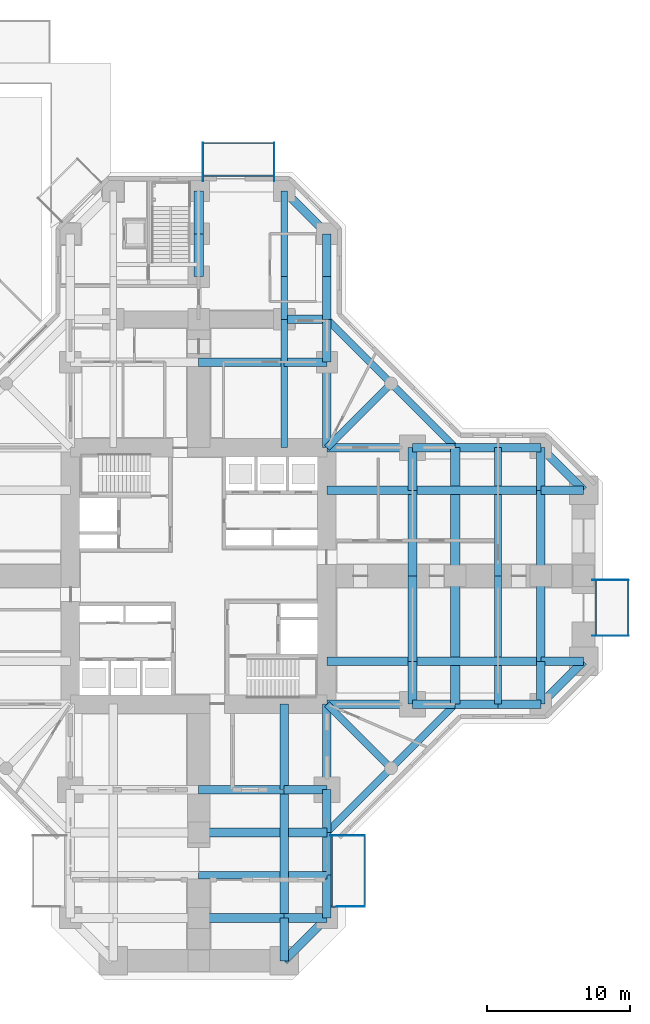
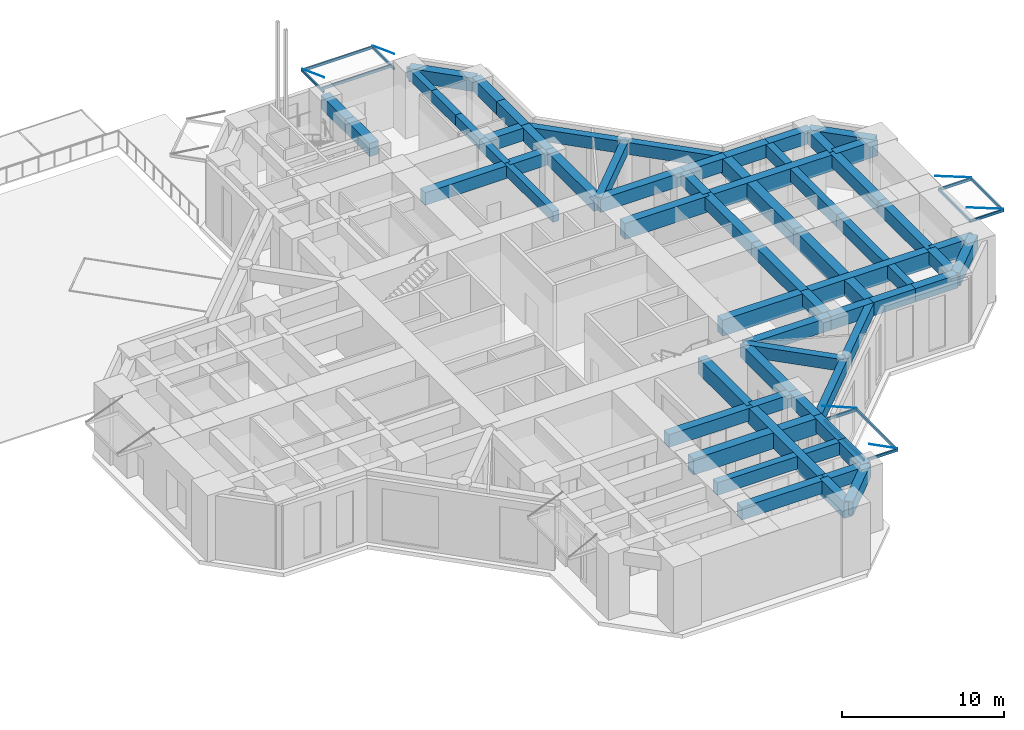
# One storey, part 3 of 14: 69 beams, 18 members.
"""IFC4 building model written with IfcOpenShell, lengths in metres."""

from ifc_helpers import new_model, si_unit, direction, frame, origin, origin_2d, place, context, subcontext, project, spatial, rectangle, hollow_rectangle, circle, extrude, material, material_profile, profile_set, type_object, element, save


model = new_model("IFC4")

# Units and contexts
model_context = context("Model", 3, precision=1e-05, world=origin(), true_north=direction((0.0, 1.0)))
body_context = subcontext(model_context, "Body", "Model", "MODEL_VIEW")
ifc_project = project(units=[si_unit("LENGTHUNIT", "METRE"), si_unit("AREAUNIT", "SQUARE_METRE"), si_unit("VOLUMEUNIT", "CUBIC_METRE"), si_unit("PLANEANGLEUNIT", "RADIAN"), si_unit("MASSUNIT", "GRAM", prefix="KILO")], contexts=[model_context])

# Site, building, storey
site_placement = place(None, origin())
site = spatial("IfcSite", under=ifc_project, at=site_placement, CompositionType="ELEMENT")
building_placement = place(site_placement, origin())
building = spatial("IfcBuilding", under=site, at=building_placement, Name="Torre Cruceta", CompositionType="ELEMENT")
storey_placement = place(building_placement, origin())
storey = spatial("IfcBuildingStorey", under=building, at=storey_placement, Name="L00", CompositionType="ELEMENT", Elevation=0.0)

# Beams
ifc_material_1 = material(Name="Concrete G60 (fck 60 MPa)", Category="concrete")
ifc_material_profile_1 = material_profile(ifc_material_1, rectangle(XDim=0.64990234375, YDim=1.0, at=origin_2d()), Name="RC 650X1000")
ifc_profile_set_1 = profile_set([ifc_material_profile_1], Name="Concrete G60 (fck 60 MPa)")
beam_type_1 = type_object("IfcBeamType", Name="ARM CENTRE BEAM RC 650X1000", PredefinedType="BEAM", material=ifc_profile_set_1)
for number, where, z_axis, x_axis, name in (
    (1, (0.0, 21.0, 4.300048828125), (0.0, 1.0, 0.0), (-1.0, 0.0, 0.0), "MB1 L00 N centre 1"),
    (2, (0.0, 24.0, 4.300048828125), (0.0, 1.0, 0.0), (-1.0, 0.0, 0.0), "MB1 L00 N centre 2"),
):
    element("IfcBeam", number, at=place(storey_placement, frame(where, z_axis=z_axis, x_axis=x_axis)), inside=storey, type_object=beam_type_1, Name=name, PredefinedType="BEAM", context=body_context, shape_type="SweptSolid", body=[
        extrude(rectangle(XDim=0.64990234375, YDim=1.0, at=origin_2d()), origin(), (0.0, 0.0, 1.0), 3.0),
    ])

# Members
ifc_material_2 = material(Name="Steel S355", Category="steel")
ifc_material_profile_2 = material_profile(ifc_material_2, hollow_rectangle(XDim=0.10009765625, YDim=0.199951171875, WallThickness=0.008056640625, at=origin_2d()), Name="RHS200X100X8")
ifc_profile_set_2 = profile_set([ifc_material_profile_2], Name="Steel S355")
member_type_1 = type_object("IfcMemberType", Name="CANOPY FRAME RHS200X100X8", PredefinedType="USERDEFINED", material=ifc_profile_set_2)
for number, where, z_axis, x_axis, name in (
    (3, (5.25, 28.070068359375, 4.39990234375), (-1.0, 0.0, 0.0), (0.0, -1.0, 0.0), "CN1 canopy 1 frame B"),
    (4, (5.25, 30.3701171875, 4.39990234375), (-1.0, 0.0, 0.0), (0.0, -1.0, 0.0), "CN1 canopy 1 frame F"),
):
    element("IfcMember", number, at=place(storey_placement, frame(where, z_axis=z_axis, x_axis=x_axis)), inside=storey, type_object=member_type_1, Name=name, ObjectType="CANOPY FRAME", PredefinedType="USERDEFINED", context=body_context, shape_type="SweptSolid", body=[
        extrude(hollow_rectangle(XDim=0.10009765625, YDim=0.199951171875, WallThickness=0.008056640625, at=origin_2d()), origin(), (0.0, 0.0, 1.0), 4.89990234375),
    ])
for number, where, z_axis, x_axis, name in (
    (5, (5.300048828125, 27.699951171875, 4.39990234375), (0.0, 1.0, 0.0), (-1.0, 0.0, 0.0), "CN1 canopy 1 frame L"),
    (6, (0.300048828125, 27.699951171875, 4.39990234375), (0.0, 1.0, 0.0), (-1.0, 0.0, 0.0), "CN1 canopy 1 frame R"),
):
    element("IfcMember", number, at=place(storey_placement, frame(where, z_axis=z_axis, x_axis=x_axis)), inside=storey, type_object=member_type_1, Name=name, ObjectType="CANOPY FRAME", PredefinedType="USERDEFINED", context=body_context, shape_type="SweptSolid", body=[
        extrude(hollow_rectangle(XDim=0.10009765625, YDim=0.199951171875, WallThickness=0.008056640625, at=origin_2d()), origin(), (0.0, 0.0, 1.0), 2.719970703125),
    ])
for number, where, z_axis, x_axis, name in (
    (7, (9.35009765625, -18.25, 4.39990234375), (0.0, -1.0, 0.0), (1.0, 0.0, 0.0), "CN1 canopy 3 frame B"),
    (8, (11.64990234375, -18.25, 4.39990234375), (0.0, -1.0, 0.0), (1.0, 0.0, 0.0), "CN1 canopy 3 frame F"),
):
    element("IfcMember", number, at=place(storey_placement, frame(where, z_axis=z_axis, x_axis=x_axis)), inside=storey, type_object=member_type_1, Name=name, ObjectType="CANOPY FRAME", PredefinedType="USERDEFINED", context=body_context, shape_type="SweptSolid", body=[
        extrude(hollow_rectangle(XDim=0.10009765625, YDim=0.199951171875, WallThickness=0.008056640625, at=origin_2d()), origin(), (0.0, 0.0, 1.0), 4.89990234375),
    ])
for number, where, z_axis, x_axis, name in (
    (9, (9.300048828125, -18.199951171875, 4.39990234375), (1.0, 0.0, 0.0), (0.0, 1.0, 0.0), "CN1 canopy 3 frame L"),
    (10, (9.300048828125, -23.199951171875, 4.39990234375), (1.0, 0.0, 0.0), (0.0, 1.0, 0.0), "CN1 canopy 3 frame R"),
):
    element("IfcMember", number, at=place(storey_placement, frame(where, z_axis=z_axis, x_axis=x_axis)), inside=storey, type_object=member_type_1, Name=name, ObjectType="CANOPY FRAME", PredefinedType="USERDEFINED", context=body_context, shape_type="SweptSolid", body=[
        extrude(hollow_rectangle(XDim=0.10009765625, YDim=0.199951171875, WallThickness=0.008056640625, at=origin_2d()), origin(), (0.0, 0.0, 1.0), 2.39990234375),
    ])
for number, where, z_axis, x_axis, name in (
    (11, (27.85009765625, -4.14990234375, 4.39990234375), (0.0, 1.0, 0.0), (-1.0, 0.0, 0.0), "CN1 canopy 5 frame B"),
    (12, (30.14990234375, -4.14990234375, 4.39990234375), (0.0, 1.0, 0.0), (-1.0, 0.0, 0.0), "CN1 canopy 5 frame F"),
):
    element("IfcMember", number, at=place(storey_placement, frame(where, z_axis=z_axis, x_axis=x_axis)), inside=storey, type_object=member_type_1, Name=name, ObjectType="CANOPY FRAME", PredefinedType="USERDEFINED", context=body_context, shape_type="SweptSolid", body=[
        extrude(hollow_rectangle(XDim=0.10009765625, YDim=0.199951171875, WallThickness=0.008056640625, at=origin_2d()), origin(), (0.0, 0.0, 1.0), 3.7998046875),
    ])
for number, where, z_axis, x_axis, name in (
    (13, (27.800048828125, -4.199951171875, 4.39990234375), (1.0, 0.0, 0.0), (0.0, 1.0, 0.0), "CN1 canopy 5 frame L"),
    (14, (27.800048828125, -0.300048828125, 4.39990234375), (1.0, 0.0, 0.0), (0.0, 1.0, 0.0), "CN1 canopy 5 frame R"),
):
    element("IfcMember", number, at=place(storey_placement, frame(where, z_axis=z_axis, x_axis=x_axis)), inside=storey, type_object=member_type_1, Name=name, ObjectType="CANOPY FRAME", PredefinedType="USERDEFINED", context=body_context, shape_type="SweptSolid", body=[
        extrude(hollow_rectangle(XDim=0.10009765625, YDim=0.199951171875, WallThickness=0.008056640625, at=origin_2d()), origin(), (0.0, 0.0, 1.0), 2.39990234375),
    ])
ifc_material_3 = material(Name="Steel S355", Category="steel")
ifc_material_profile_3 = material_profile(ifc_material_3, circle(Radius=0.014892578125, at=origin_2d()), Name="ROD D30")
ifc_profile_set_3 = profile_set([ifc_material_profile_3], Name="Steel S355")
member_type_2 = type_object("IfcMemberType", Name="CANOPY TIE ROD D30", PredefinedType="USERDEFINED", material=ifc_profile_set_3)
for number, where, z_axis, x_axis, name in (
    (15, (5.300048828125, 30.3701171875, 4.5), (0.0, -0.936480400525, 0.350719915932), (1.0, 0.0, 0.0), "CN2 canopy 1 tie rod 1"),
    (16, (0.300048828125, 30.3701171875, 4.5), (0.0, -0.936480400525, 0.350719915932), (1.0, 0.0, 0.0), "CN2 canopy 1 tie rod 2"),
):
    element("IfcMember", number, at=place(storey_placement, frame(where, z_axis=z_axis, x_axis=x_axis)), inside=storey, type_object=member_type_2, Name=name, ObjectType="TIE ROD", PredefinedType="USERDEFINED", context=body_context, shape_type="SweptSolid", body=[
        extrude(circle(Radius=0.014892578125, at=origin_2d()), origin(), (0.0, 0.0, 1.0), 2.851318359375),
    ])
member_1_placement = place(storey_placement, frame((11.64990234375, -18.199951171875, 4.5), z_axis=(-0.923071366561, 0.0, 0.384628719983), x_axis=(0.0, -1.0, 0.0)))
element("IfcMember", 17, at=member_1_placement, inside=storey, type_object=member_type_2, Name="CN2 canopy 3 tie rod 1", ObjectType="TIE ROD", PredefinedType="USERDEFINED", context=body_context, shape_type="SweptSolid", body=[
    extrude(circle(Radius=0.014892578125, at=origin_2d()), origin(), (0.0, 0.0, 1.0), 2.599853515625),
])
member_2_placement = place(storey_placement, frame((11.64990234375, -23.199951171875, 4.5), z_axis=(-0.889812823198, 0.0, 0.456325694731), x_axis=(0.0, -1.0, 0.0)))
element("IfcMember", 18, at=member_2_placement, inside=storey, type_object=member_type_2, Name="CN2 canopy 3 tie rod 2", ObjectType="TIE ROD", PredefinedType="USERDEFINED", context=body_context, shape_type="SweptSolid", body=[
    extrude(circle(Radius=0.014892578125, at=origin_2d()), origin(), (0.0, 0.0, 1.0), 2.19140625),
])
for number, where, z_axis, x_axis, name in (
    (19, (30.14990234375, -4.199951171875, 4.5), (-0.930963693221, 0.0, 0.365111766319), (0.0, -1.0, 0.0), "CN2 canopy 5 tie rod 1"),
    (20, (30.14990234375, -0.300048828125, 4.5), (-0.930963693221, 0.0, 0.365111766319), (0.0, -1.0, 0.0), "CN2 canopy 5 tie rod 2"),
):
    element("IfcMember", number, at=place(storey_placement, frame(where, z_axis=z_axis, x_axis=x_axis)), inside=storey, type_object=member_type_2, Name=name, ObjectType="TIE ROD", PredefinedType="USERDEFINED", context=body_context, shape_type="SweptSolid", body=[
        extrude(circle(Radius=0.014892578125, at=origin_2d()), origin(), (0.0, 0.0, 1.0), 2.73876953125),
    ])

# Beams
ifc_material_4 = material(Name="Concrete G60 (fck 60 MPa)", Category="concrete")
ifc_material_profile_4 = material_profile(ifc_material_4, rectangle(XDim=0.449951171875, YDim=0.800048828125, at=origin_2d()), Name="RC 450X800")
ifc_profile_set_4 = profile_set([ifc_material_profile_4], Name="Concrete G60 (fck 60 MPa)")
beam_type_2 = type_object("IfcBeamType", Name="COLUMN LINE BEAM RC 450X800", PredefinedType="BEAM", material=ifc_profile_set_4)
beam_1_placement = place(storey_placement, frame((6.0, 9.0, 4.39990234375), z_axis=(0.0, 1.0, 0.0), x_axis=(-1.0, 0.0, 0.0)))
element("IfcBeam", 21, at=beam_1_placement, inside=storey, type_object=beam_type_2, Name="LB1 L00 N col- 1", PredefinedType="BEAM", context=body_context, shape_type="SweptSolid", body=[
    extrude(rectangle(XDim=0.449951171875, YDim=0.800048828125, at=origin_2d()), origin(), (0.0, 0.0, 1.0), 6.0),
])
for number, where, z_axis, x_axis, name in (
    (22, (6.0, 15.0, 4.39990234375), (0.0, 1.0, 0.0), (-1.0, 0.0, 0.0), "LB1 L00 N col- 2"),
    (23, (6.0, 18.0, 4.39990234375), (0.0, 1.0, 0.0), (-1.0, 0.0, 0.0), "LB1 L00 N col- 3"),
    (24, (6.0, 21.0, 4.39990234375), (0.0, 1.0, 0.0), (-1.0, 0.0, 0.0), "LB1 L00 N col- 4"),
    (25, (6.0, 24.0, 4.39990234375), (0.0, 1.0, 0.0), (-1.0, 0.0, 0.0), "LB1 L00 N col- 5"),
):
    element("IfcBeam", number, at=place(storey_placement, frame(where, z_axis=z_axis, x_axis=x_axis)), inside=storey, type_object=beam_type_2, Name=name, PredefinedType="BEAM", context=body_context, shape_type="SweptSolid", body=[
        extrude(rectangle(XDim=0.449951171875, YDim=0.800048828125, at=origin_2d()), origin(), (0.0, 0.0, 1.0), 3.0),
    ])
ifc_material_5 = material(Name="Concrete G60 (fck 60 MPa)", Category="concrete")
ifc_material_profile_5 = material_profile(ifc_material_5, rectangle(XDim=0.60009765625, YDim=1.199951171875, at=origin_2d()), Name="RC 600X1200")
ifc_profile_set_5 = profile_set([ifc_material_profile_5], Name="Concrete G60 (fck 60 MPa)")
beam_type_3 = type_object("IfcBeamType", Name="COLUMN LINE BEAM RC 600X1200", PredefinedType="BEAM", material=ifc_profile_set_5)
beam_2_placement = place(storey_placement, frame((9.0, -6.0, 4.199951171875), z_axis=(1.0, 0.0, 0.0), x_axis=(0.0, 1.0, 0.0)))
element("IfcBeam", 26, at=beam_2_placement, inside=storey, type_object=beam_type_3, Name="LB2 L00 E col- 1", PredefinedType="BEAM", context=body_context, shape_type="SweptSolid", body=[
    extrude(rectangle(XDim=0.60009765625, YDim=1.199951171875, at=origin_2d()), origin(), (0.0, 0.0, 1.0), 6.0),
])
beam_3_placement = place(storey_placement, frame((15.0, -6.0, 4.199951171875), z_axis=(1.0, 0.0, 0.0), x_axis=(0.0, 1.0, 0.0)))
element("IfcBeam", 27, at=beam_3_placement, inside=storey, type_object=beam_type_3, Name="LB2 L00 E col- 2", PredefinedType="BEAM", context=body_context, shape_type="SweptSolid", body=[
    extrude(rectangle(XDim=0.60009765625, YDim=1.199951171875, at=origin_2d()), origin(), (0.0, 0.0, 1.0), 9.0),
])
beam_4_placement = place(storey_placement, frame((24.0, -6.0, 4.199951171875), z_axis=(1.0, 0.0, 0.0), x_axis=(0.0, 1.0, 0.0)))
element("IfcBeam", 28, at=beam_4_placement, inside=storey, type_object=beam_type_3, Name="LB2 L00 E col- 5", PredefinedType="BEAM", context=body_context, shape_type="SweptSolid", body=[
    extrude(rectangle(XDim=0.60009765625, YDim=1.199951171875, at=origin_2d()), origin(), (0.0, 0.0, 1.0), 3.0),
])
beam_5_placement = place(storey_placement, frame((9.0, 6.0, 4.199951171875), z_axis=(1.0, 0.0, 0.0), x_axis=(0.0, 1.0, 0.0)))
element("IfcBeam", 29, at=beam_5_placement, inside=storey, type_object=beam_type_3, Name="LB2 L00 E col+ 1", PredefinedType="BEAM", context=body_context, shape_type="SweptSolid", body=[
    extrude(rectangle(XDim=0.60009765625, YDim=1.199951171875, at=origin_2d()), origin(), (0.0, 0.0, 1.0), 6.0),
])
beam_6_placement = place(storey_placement, frame((15.0, 6.0, 4.199951171875), z_axis=(1.0, 0.0, 0.0), x_axis=(0.0, 1.0, 0.0)))
element("IfcBeam", 30, at=beam_6_placement, inside=storey, type_object=beam_type_3, Name="LB2 L00 E col+ 2", PredefinedType="BEAM", context=body_context, shape_type="SweptSolid", body=[
    extrude(rectangle(XDim=0.60009765625, YDim=1.199951171875, at=origin_2d()), origin(), (0.0, 0.0, 1.0), 9.0),
])
beam_7_placement = place(storey_placement, frame((24.0, 6.0, 4.199951171875), z_axis=(1.0, 0.0, 0.0), x_axis=(0.0, 1.0, 0.0)))
element("IfcBeam", 31, at=beam_7_placement, inside=storey, type_object=beam_type_3, Name="LB2 L00 E col+ 5", PredefinedType="BEAM", context=body_context, shape_type="SweptSolid", body=[
    extrude(rectangle(XDim=0.60009765625, YDim=1.199951171875, at=origin_2d()), origin(), (0.0, 0.0, 1.0), 3.0),
])
beam_8_placement = place(storey_placement, frame((6.0, -9.0, 4.199951171875), z_axis=(0.0, -1.0, 0.0), x_axis=(1.0, 0.0, 0.0)))
element("IfcBeam", 32, at=beam_8_placement, inside=storey, type_object=beam_type_3, Name="LB2 L00 S col+ 1", PredefinedType="BEAM", context=body_context, shape_type="SweptSolid", body=[
    extrude(rectangle(XDim=0.60009765625, YDim=1.199951171875, at=origin_2d()), origin(), (0.0, 0.0, 1.0), 6.0),
])
beam_9_placement = place(storey_placement, frame((6.0, -15.0, 4.199951171875), z_axis=(0.0, -1.0, 0.0), x_axis=(1.0, 0.0, 0.0)))
element("IfcBeam", 33, at=beam_9_placement, inside=storey, type_object=beam_type_3, Name="LB2 L00 S col+ 2", PredefinedType="BEAM", context=body_context, shape_type="SweptSolid", body=[
    extrude(rectangle(XDim=0.60009765625, YDim=1.199951171875, at=origin_2d()), origin(), (0.0, 0.0, 1.0), 9.0),
])
beam_10_placement = place(storey_placement, frame((6.0, -24.0, 4.199951171875), z_axis=(0.0, -1.0, 0.0), x_axis=(1.0, 0.0, 0.0)))
element("IfcBeam", 34, at=beam_10_placement, inside=storey, type_object=beam_type_3, Name="LB2 L00 S col+ 5", PredefinedType="BEAM", context=body_context, shape_type="SweptSolid", body=[
    extrude(rectangle(XDim=0.60009765625, YDim=1.199951171875, at=origin_2d()), origin(), (0.0, 0.0, 1.0), 3.0),
])
ifc_material_6 = material(Name="Concrete G60 (fck 60 MPa)", Category="concrete")
ifc_material_profile_6 = material_profile(ifc_material_6, rectangle(XDim=0.60009765625, YDim=0.949951171875, at=origin_2d()), Name="RC 600X950")
ifc_profile_set_6 = profile_set([ifc_material_profile_6], Name="Concrete G60 (fck 60 MPa)")
beam_type_4 = type_object("IfcBeamType", Name="CROSS BEAM RC 600X950", PredefinedType="BEAM", material=ifc_profile_set_6)
beam_11_placement = place(storey_placement, frame((9.0, 15.0, 4.324951171875), z_axis=(-1.0, 0.0, 0.0), x_axis=(0.0, -1.0, 0.0)))
element("IfcBeam", 35, at=beam_11_placement, inside=storey, type_object=beam_type_4, Name="GB1 L00 N cross15 1", PredefinedType="BEAM", context=body_context, shape_type="SweptSolid", body=[
    extrude(rectangle(XDim=0.60009765625, YDim=0.949951171875, at=origin_2d()), origin(), (0.0, 0.0, 1.0), 3.0),
])
beam_12_placement = place(storey_placement, frame((6.0, 15.0, 4.324951171875), z_axis=(-1.0, 0.0, 0.0), x_axis=(0.0, -1.0, 0.0)))
element("IfcBeam", 36, at=beam_12_placement, inside=storey, type_object=beam_type_4, Name="GB1 L00 N cross15 2", PredefinedType="BEAM", context=body_context, shape_type="SweptSolid", body=[
    extrude(rectangle(XDim=0.60009765625, YDim=0.949951171875, at=origin_2d()), origin(), (0.0, 0.0, 1.0), 6.0),
])
for number, where, z_axis, x_axis, name in (
    (37, (9.0, 18.0, 4.324951171875), (-1.0, 0.0, 0.0), (0.0, -1.0, 0.0), "GB1 L00 N cross18 1"),
    (38, (15.0, -9.0, 4.324951171875), (0.0, 1.0, 0.0), (-1.0, 0.0, 0.0), "GB1 L00 E cross15 1"),
):
    element("IfcBeam", number, at=place(storey_placement, frame(where, z_axis=z_axis, x_axis=x_axis)), inside=storey, type_object=beam_type_4, Name=name, PredefinedType="BEAM", context=body_context, shape_type="SweptSolid", body=[
        extrude(rectangle(XDim=0.60009765625, YDim=0.949951171875, at=origin_2d()), origin(), (0.0, 0.0, 1.0), 3.0),
    ])
for number, where, z_axis, x_axis, name in (
    (39, (15.0, -6.0, 4.324951171875), (0.0, 1.0, 0.0), (-1.0, 0.0, 0.0), "GB1 L00 E cross15 2"),
    (40, (15.0, 0.0, 4.324951171875), (0.0, 1.0, 0.0), (-1.0, 0.0, 0.0), "GB1 L00 E cross15 3"),
):
    element("IfcBeam", number, at=place(storey_placement, frame(where, z_axis=z_axis, x_axis=x_axis)), inside=storey, type_object=beam_type_4, Name=name, PredefinedType="BEAM", context=body_context, shape_type="SweptSolid", body=[
        extrude(rectangle(XDim=0.60009765625, YDim=0.949951171875, at=origin_2d()), origin(), (0.0, 0.0, 1.0), 6.0),
    ])
for number, where, z_axis, x_axis, name in (
    (41, (15.0, 6.0, 4.324951171875), (0.0, 1.0, 0.0), (-1.0, 0.0, 0.0), "GB1 L00 E cross15 4"),
    (42, (24.0, -9.0, 4.324951171875), (0.0, 1.0, 0.0), (-1.0, 0.0, 0.0), "GB1 L00 E cross24 1"),
):
    element("IfcBeam", number, at=place(storey_placement, frame(where, z_axis=z_axis, x_axis=x_axis)), inside=storey, type_object=beam_type_4, Name=name, PredefinedType="BEAM", context=body_context, shape_type="SweptSolid", body=[
        extrude(rectangle(XDim=0.60009765625, YDim=0.949951171875, at=origin_2d()), origin(), (0.0, 0.0, 1.0), 3.0),
    ])
for number, where, z_axis, x_axis, name in (
    (43, (24.0, -6.0, 4.324951171875), (0.0, 1.0, 0.0), (-1.0, 0.0, 0.0), "GB1 L00 E cross24 2"),
    (44, (24.0, 0.0, 4.324951171875), (0.0, 1.0, 0.0), (-1.0, 0.0, 0.0), "GB1 L00 E cross24 3"),
):
    element("IfcBeam", number, at=place(storey_placement, frame(where, z_axis=z_axis, x_axis=x_axis)), inside=storey, type_object=beam_type_4, Name=name, PredefinedType="BEAM", context=body_context, shape_type="SweptSolid", body=[
        extrude(rectangle(XDim=0.60009765625, YDim=0.949951171875, at=origin_2d()), origin(), (0.0, 0.0, 1.0), 6.0),
    ])
beam_13_placement = place(storey_placement, frame((24.0, 6.0, 4.324951171875), z_axis=(0.0, 1.0, 0.0), x_axis=(-1.0, 0.0, 0.0)))
element("IfcBeam", 45, at=beam_13_placement, inside=storey, type_object=beam_type_4, Name="GB1 L00 E cross24 4", PredefinedType="BEAM", context=body_context, shape_type="SweptSolid", body=[
    extrude(rectangle(XDim=0.60009765625, YDim=0.949951171875, at=origin_2d()), origin(), (0.0, 0.0, 1.0), 3.0),
])
beam_14_placement = place(storey_placement, frame((0.0, -15.0, 4.324951171875), z_axis=(1.0, 0.0, 0.0), x_axis=(0.0, 1.0, 0.0)))
element("IfcBeam", 46, at=beam_14_placement, inside=storey, type_object=beam_type_4, Name="GB1 L00 S cross15 3", PredefinedType="BEAM", context=body_context, shape_type="SweptSolid", body=[
    extrude(rectangle(XDim=0.60009765625, YDim=0.949951171875, at=origin_2d()), origin(), (0.0, 0.0, 1.0), 6.0),
])
beam_15_placement = place(storey_placement, frame((6.0, -15.0, 4.324951171875), z_axis=(1.0, 0.0, 0.0), x_axis=(0.0, 1.0, 0.0)))
element("IfcBeam", 47, at=beam_15_placement, inside=storey, type_object=beam_type_4, Name="GB1 L00 S cross15 4", PredefinedType="BEAM", context=body_context, shape_type="SweptSolid", body=[
    extrude(rectangle(XDim=0.60009765625, YDim=0.949951171875, at=origin_2d()), origin(), (0.0, 0.0, 1.0), 3.0),
])
beam_16_placement = place(storey_placement, frame((0.0, -24.0, 4.324951171875), z_axis=(1.0, 0.0, 0.0), x_axis=(0.0, 1.0, 0.0)))
element("IfcBeam", 48, at=beam_16_placement, inside=storey, type_object=beam_type_4, Name="GB1 L00 S cross24 3", PredefinedType="BEAM", context=body_context, shape_type="SweptSolid", body=[
    extrude(rectangle(XDim=0.60009765625, YDim=0.949951171875, at=origin_2d()), origin(), (0.0, 0.0, 1.0), 6.0),
])
beam_17_placement = place(storey_placement, frame((6.0, -24.0, 4.324951171875), z_axis=(1.0, 0.0, 0.0), x_axis=(0.0, 1.0, 0.0)))
element("IfcBeam", 49, at=beam_17_placement, inside=storey, type_object=beam_type_4, Name="GB1 L00 S cross24 4", PredefinedType="BEAM", context=body_context, shape_type="SweptSolid", body=[
    extrude(rectangle(XDim=0.60009765625, YDim=0.949951171875, at=origin_2d()), origin(), (0.0, 0.0, 1.0), 3.0),
])
ifc_material_7 = material(Name="Concrete G60 (fck 60 MPa)", Category="concrete")
ifc_material_profile_7 = material_profile(ifc_material_7, rectangle(XDim=0.64990234375, YDim=1.199951171875, at=origin_2d()), Name="RC 650X1200")
ifc_profile_set_7 = profile_set([ifc_material_profile_7], Name="Concrete G60 (fck 60 MPa)")
beam_type_5 = type_object("IfcBeamType", Name="CROSS BEAM RC 650X1200", PredefinedType="BEAM", material=ifc_profile_set_7)
beam_18_placement = place(storey_placement, frame((18.0, -9.0, 4.199951171875), z_axis=(0.0, 1.0, 0.0), x_axis=(-1.0, 0.0, 0.0)))
element("IfcBeam", 50, at=beam_18_placement, inside=storey, type_object=beam_type_5, Name="GB2 L00 E cross18 1", PredefinedType="BEAM", context=body_context, shape_type="SweptSolid", body=[
    extrude(rectangle(XDim=0.64990234375, YDim=1.199951171875, at=origin_2d()), origin(), (0.0, 0.0, 1.0), 2.699951171875),
])
for number, where, z_axis, x_axis, name in (
    (51, (18.0, -5.699951171875, 4.199951171875), (0.0, 1.0, 0.0), (-1.0, 0.0, 0.0), "GB2 L00 E cross18 2"),
    (52, (18.0, 0.0, 4.199951171875), (0.0, 1.0, 0.0), (-1.0, 0.0, 0.0), "GB2 L00 E cross18 3"),
):
    element("IfcBeam", number, at=place(storey_placement, frame(where, z_axis=z_axis, x_axis=x_axis)), inside=storey, type_object=beam_type_5, Name=name, PredefinedType="BEAM", context=body_context, shape_type="SweptSolid", body=[
        extrude(rectangle(XDim=0.64990234375, YDim=1.199951171875, at=origin_2d()), origin(), (0.0, 0.0, 1.0), 5.699951171875),
    ])
beam_19_placement = place(storey_placement, frame((18.0, 6.300048828125, 4.199951171875), z_axis=(0.0, 1.0, 0.0), x_axis=(-1.0, 0.0, 0.0)))
element("IfcBeam", 53, at=beam_19_placement, inside=storey, type_object=beam_type_5, Name="GB2 L00 E cross18 4", PredefinedType="BEAM", context=body_context, shape_type="SweptSolid", body=[
    extrude(rectangle(XDim=0.64990234375, YDim=1.199951171875, at=origin_2d()), origin(), (0.0, 0.0, 1.0), 2.699951171875),
])
beam_20_placement = place(storey_placement, frame((0.0, -18.0, 4.199951171875), z_axis=(1.0, 0.0, 0.0), x_axis=(0.0, 1.0, 0.0)))
element("IfcBeam", 54, at=beam_20_placement, inside=storey, type_object=beam_type_5, Name="GB2 L00 S cross18 3", PredefinedType="BEAM", context=body_context, shape_type="SweptSolid", body=[
    extrude(rectangle(XDim=0.64990234375, YDim=1.199951171875, at=origin_2d()), origin(), (0.0, 0.0, 1.0), 5.699951171875),
])
beam_21_placement = place(storey_placement, frame((6.300048828125, -18.0, 4.199951171875), z_axis=(1.0, 0.0, 0.0), x_axis=(0.0, 1.0, 0.0)))
element("IfcBeam", 55, at=beam_21_placement, inside=storey, type_object=beam_type_5, Name="GB2 L00 S cross18 4", PredefinedType="BEAM", context=body_context, shape_type="SweptSolid", body=[
    extrude(rectangle(XDim=0.64990234375, YDim=1.199951171875, at=origin_2d()), origin(), (0.0, 0.0, 1.0), 2.699951171875),
])
ifc_material_8 = material(Name="Concrete G60 (fck 60 MPa)", Category="concrete")
ifc_material_profile_8 = material_profile(ifc_material_8, rectangle(XDim=0.5, YDim=0.949951171875, at=origin_2d()), Name="RC 500X950")
ifc_profile_set_8 = profile_set([ifc_material_profile_8], Name="Concrete G60 (fck 60 MPa)")
beam_type_6 = type_object("IfcBeamType", Name="SECONDARY BEAM RC 500X950", PredefinedType="JOIST", material=ifc_profile_set_8)
beam_22_placement = place(storey_placement, frame((21.0, -9.0, 4.324951171875), z_axis=(0.0, 1.0, 0.0), x_axis=(-1.0, 0.0, 0.0)))
element("IfcBeam", 56, at=beam_22_placement, inside=storey, type_object=beam_type_6, Name="JB2 L00 E sec21 1", PredefinedType="JOIST", context=body_context, shape_type="SweptSolid", body=[
    extrude(rectangle(XDim=0.5, YDim=0.949951171875, at=origin_2d()), origin(), (0.0, 0.0, 1.0), 2.699951171875),
])
for number, where, z_axis, x_axis, name in (
    (57, (21.0, -5.699951171875, 4.324951171875), (0.0, 1.0, 0.0), (-1.0, 0.0, 0.0), "JB2 L00 E sec21 2"),
    (58, (21.0, 0.0, 4.324951171875), (0.0, 1.0, 0.0), (-1.0, 0.0, 0.0), "JB2 L00 E sec21 3"),
):
    element("IfcBeam", number, at=place(storey_placement, frame(where, z_axis=z_axis, x_axis=x_axis)), inside=storey, type_object=beam_type_6, Name=name, PredefinedType="JOIST", context=body_context, shape_type="SweptSolid", body=[
        extrude(rectangle(XDim=0.5, YDim=0.949951171875, at=origin_2d()), origin(), (0.0, 0.0, 1.0), 5.699951171875),
    ])
beam_23_placement = place(storey_placement, frame((21.0, 6.300048828125, 4.324951171875), z_axis=(0.0, 1.0, 0.0), x_axis=(-1.0, 0.0, 0.0)))
element("IfcBeam", 59, at=beam_23_placement, inside=storey, type_object=beam_type_6, Name="JB2 L00 E sec21 4", PredefinedType="JOIST", context=body_context, shape_type="SweptSolid", body=[
    extrude(rectangle(XDim=0.5, YDim=0.949951171875, at=origin_2d()), origin(), (0.0, 0.0, 1.0), 2.699951171875),
])
beam_24_placement = place(storey_placement, frame((0.0, -21.0, 4.324951171875), z_axis=(1.0, 0.0, 0.0), x_axis=(0.0, 1.0, 0.0)))
element("IfcBeam", 60, at=beam_24_placement, inside=storey, type_object=beam_type_6, Name="JB2 L00 S sec21 3", PredefinedType="JOIST", context=body_context, shape_type="SweptSolid", body=[
    extrude(rectangle(XDim=0.5, YDim=0.949951171875, at=origin_2d()), origin(), (0.0, 0.0, 1.0), 5.699951171875),
])
beam_25_placement = place(storey_placement, frame((6.300048828125, -21.0, 4.324951171875), z_axis=(1.0, 0.0, 0.0), x_axis=(0.0, 1.0, 0.0)))
element("IfcBeam", 61, at=beam_25_placement, inside=storey, type_object=beam_type_6, Name="JB2 L00 S sec21 4", PredefinedType="JOIST", context=body_context, shape_type="SweptSolid", body=[
    extrude(rectangle(XDim=0.5, YDim=0.949951171875, at=origin_2d()), origin(), (0.0, 0.0, 1.0), 2.699951171875),
])
ifc_material_9 = material(Name="Concrete G60 (fck 60 MPa)", Category="concrete")
ifc_material_profile_9 = material_profile(ifc_material_9, rectangle(XDim=0.60009765625, YDim=1.0, at=origin_2d()), Name="RC 600X1000")
ifc_profile_set_9 = profile_set([ifc_material_profile_9], Name="Concrete G60 (fck 60 MPa)")
beam_type_7 = type_object("IfcBeamType", Name="SPANDREL BEAM RC 600X1000", PredefinedType="SPANDREL", material=ifc_profile_set_9)
beam_26_placement = place(storey_placement, frame((9.0, 9.0, 4.300048828125), z_axis=(0.0, 1.0, 0.0), x_axis=(-1.0, 0.0, 0.0)))
element("IfcBeam", 62, at=beam_26_placement, inside=storey, type_object=beam_type_7, Name="SB1 L00 N side- 1", PredefinedType="SPANDREL", context=body_context, shape_type="SweptSolid", body=[
    extrude(rectangle(XDim=0.60009765625, YDim=1.0, at=origin_2d()), origin(), (0.0, 0.0, 1.0), 6.0),
])
for number, where, z_axis, x_axis, name in (
    (63, (9.0, 15.0, 4.300048828125), (0.0, 1.0, 0.0), (-1.0, 0.0, 0.0), "SB1 L00 N side- 2"),
    (64, (9.0, 18.0, 4.300048828125), (0.0, 1.0, 0.0), (-1.0, 0.0, 0.0), "SB1 L00 N side- 3"),
    (65, (9.0, 21.0, 4.300048828125), (0.0, 1.0, 0.0), (-1.0, 0.0, 0.0), "SB1 L00 N side- 4"),
):
    element("IfcBeam", number, at=place(storey_placement, frame(where, z_axis=z_axis, x_axis=x_axis)), inside=storey, type_object=beam_type_7, Name=name, PredefinedType="SPANDREL", context=body_context, shape_type="SweptSolid", body=[
        extrude(rectangle(XDim=0.60009765625, YDim=1.0, at=origin_2d()), origin(), (0.0, 0.0, 1.0), 3.0),
    ])
beam_27_placement = place(storey_placement, frame((9.0, 24.0, 4.300048828125), z_axis=(-0.707106781187, 0.707106781187, 0.0), x_axis=(-0.707106781187, -0.707106781187, 0.0)))
element("IfcBeam", 66, at=beam_27_placement, inside=storey, type_object=beam_type_7, Name="SB1 L00 N side- 5", PredefinedType="SPANDREL", context=body_context, shape_type="SweptSolid", body=[
    extrude(rectangle(XDim=0.60009765625, YDim=1.0, at=origin_2d()), origin(), (0.0, 0.0, 1.0), 4.24267578125),
])
beam_28_placement = place(storey_placement, frame((9.0, -9.0, 4.300048828125), z_axis=(1.0, 0.0, 0.0), x_axis=(0.0, 1.0, 0.0)))
element("IfcBeam", 67, at=beam_28_placement, inside=storey, type_object=beam_type_7, Name="SB1 L00 E side- 1", PredefinedType="SPANDREL", context=body_context, shape_type="SweptSolid", body=[
    extrude(rectangle(XDim=0.60009765625, YDim=1.0, at=origin_2d()), origin(), (0.0, 0.0, 1.0), 6.0),
])
for number, where, z_axis, x_axis, name in (
    (68, (15.0, -9.0, 4.300048828125), (1.0, 0.0, 0.0), (0.0, 1.0, 0.0), "SB1 L00 E side- 2"),
    (69, (18.0, -9.0, 4.300048828125), (1.0, 0.0, 0.0), (0.0, 1.0, 0.0), "SB1 L00 E side- 3"),
    (70, (21.0, -9.0, 4.300048828125), (1.0, 0.0, 0.0), (0.0, 1.0, 0.0), "SB1 L00 E side- 4"),
):
    element("IfcBeam", number, at=place(storey_placement, frame(where, z_axis=z_axis, x_axis=x_axis)), inside=storey, type_object=beam_type_7, Name=name, PredefinedType="SPANDREL", context=body_context, shape_type="SweptSolid", body=[
        extrude(rectangle(XDim=0.60009765625, YDim=1.0, at=origin_2d()), origin(), (0.0, 0.0, 1.0), 3.0),
    ])
beam_29_placement = place(storey_placement, frame((24.0, -9.0, 4.300048828125), z_axis=(0.707106781187, 0.707106781187, 0.0), x_axis=(-0.707106781187, 0.707106781187, 0.0)))
element("IfcBeam", 71, at=beam_29_placement, inside=storey, type_object=beam_type_7, Name="SB1 L00 E side- 5", PredefinedType="SPANDREL", context=body_context, shape_type="SweptSolid", body=[
    extrude(rectangle(XDim=0.60009765625, YDim=1.0, at=origin_2d()), origin(), (0.0, 0.0, 1.0), 4.24267578125),
])
beam_30_placement = place(storey_placement, frame((9.0, 9.0, 4.300048828125), z_axis=(1.0, 0.0, 0.0), x_axis=(0.0, 1.0, 0.0)))
element("IfcBeam", 72, at=beam_30_placement, inside=storey, type_object=beam_type_7, Name="SB1 L00 E side+ 1", PredefinedType="SPANDREL", context=body_context, shape_type="SweptSolid", body=[
    extrude(rectangle(XDim=0.60009765625, YDim=1.0, at=origin_2d()), origin(), (0.0, 0.0, 1.0), 6.0),
])
for number, where, z_axis, x_axis, name in (
    (73, (15.0, 9.0, 4.300048828125), (1.0, 0.0, 0.0), (0.0, 1.0, 0.0), "SB1 L00 E side+ 2"),
    (74, (18.0, 9.0, 4.300048828125), (1.0, 0.0, 0.0), (0.0, 1.0, 0.0), "SB1 L00 E side+ 3"),
    (75, (21.0, 9.0, 4.300048828125), (1.0, 0.0, 0.0), (0.0, 1.0, 0.0), "SB1 L00 E side+ 4"),
):
    element("IfcBeam", number, at=place(storey_placement, frame(where, z_axis=z_axis, x_axis=x_axis)), inside=storey, type_object=beam_type_7, Name=name, PredefinedType="SPANDREL", context=body_context, shape_type="SweptSolid", body=[
        extrude(rectangle(XDim=0.60009765625, YDim=1.0, at=origin_2d()), origin(), (0.0, 0.0, 1.0), 3.0),
    ])
beam_31_placement = place(storey_placement, frame((24.0, 9.0, 4.300048828125), z_axis=(0.707106781187, -0.707106781187, 0.0), x_axis=(0.707106781187, 0.707106781187, 0.0)))
element("IfcBeam", 76, at=beam_31_placement, inside=storey, type_object=beam_type_7, Name="SB1 L00 E side+ 5", PredefinedType="SPANDREL", context=body_context, shape_type="SweptSolid", body=[
    extrude(rectangle(XDim=0.60009765625, YDim=1.0, at=origin_2d()), origin(), (0.0, 0.0, 1.0), 4.24267578125),
])
beam_32_placement = place(storey_placement, frame((9.0, -9.0, 4.300048828125), z_axis=(0.0, -1.0, 0.0), x_axis=(1.0, 0.0, 0.0)))
element("IfcBeam", 77, at=beam_32_placement, inside=storey, type_object=beam_type_7, Name="SB1 L00 S side+ 1", PredefinedType="SPANDREL", context=body_context, shape_type="SweptSolid", body=[
    extrude(rectangle(XDim=0.60009765625, YDim=1.0, at=origin_2d()), origin(), (0.0, 0.0, 1.0), 6.0),
])
for number, where, z_axis, x_axis, name in (
    (78, (9.0, -15.0, 4.300048828125), (0.0, -1.0, 0.0), (1.0, 0.0, 0.0), "SB1 L00 S side+ 2"),
    (79, (9.0, -18.0, 4.300048828125), (0.0, -1.0, 0.0), (1.0, 0.0, 0.0), "SB1 L00 S side+ 3"),
    (80, (9.0, -21.0, 4.300048828125), (0.0, -1.0, 0.0), (1.0, 0.0, 0.0), "SB1 L00 S side+ 4"),
):
    element("IfcBeam", number, at=place(storey_placement, frame(where, z_axis=z_axis, x_axis=x_axis)), inside=storey, type_object=beam_type_7, Name=name, PredefinedType="SPANDREL", context=body_context, shape_type="SweptSolid", body=[
        extrude(rectangle(XDim=0.60009765625, YDim=1.0, at=origin_2d()), origin(), (0.0, 0.0, 1.0), 3.0),
    ])
beam_33_placement = place(storey_placement, frame((9.0, -24.0, 4.300048828125), z_axis=(-0.707106781187, -0.707106781187, 0.0), x_axis=(0.707106781187, -0.707106781187, 0.0)))
element("IfcBeam", 81, at=beam_33_placement, inside=storey, type_object=beam_type_7, Name="SB1 L00 S side+ 5", PredefinedType="SPANDREL", context=body_context, shape_type="SweptSolid", body=[
    extrude(rectangle(XDim=0.60009765625, YDim=1.0, at=origin_2d()), origin(), (0.0, 0.0, 1.0), 4.24267578125),
])
ifc_material_10 = material(Name="Concrete G60 (fck 60 MPa)", Category="concrete")
ifc_material_profile_10 = material_profile(ifc_material_10, rectangle(XDim=0.5, YDim=0.89990234375, at=origin_2d()), Name="RC 500X900")
ifc_profile_set_10 = profile_set([ifc_material_profile_10], Name="Concrete G60 (fck 60 MPa)")
beam_type_8 = type_object("IfcBeamType", Name="WING EDGE BEAM RC 500X900", PredefinedType="BEAM", material=ifc_profile_set_10)
for number, where, z_axis, x_axis, name in (
    (82, (18.0, 9.0, 4.35009765625), (-0.707106781187, 0.707106781187, 0.0), (-0.707106781187, -0.707106781187, 0.0), "WB1 L00 E wing 1"),
    (83, (13.5, 13.5, 4.35009765625), (-0.707106781187, 0.707106781187, 0.0), (-0.707106781187, -0.707106781187, 0.0), "WB1 L00 E wing 2"),
    (84, (9.0, 9.0, 4.35009765625), (0.707106781187, 0.707106781187, 0.0), (-0.707106781187, 0.707106781187, 0.0), "WB1 L00 E wingtie 1"),
    (85, (9.0, -18.0, 4.35009765625), (0.707106781187, 0.707106781187, 0.0), (-0.707106781187, 0.707106781187, 0.0), "WB1 L00 S wing 1"),
    (86, (13.5, -13.5, 4.35009765625), (0.707106781187, 0.707106781187, 0.0), (-0.707106781187, 0.707106781187, 0.0), "WB1 L00 S wing 2"),
    (87, (9.0, -9.0, 4.35009765625), (0.707106781187, -0.707106781187, 0.0), (0.707106781187, 0.707106781187, 0.0), "WB1 L00 S wingtie 1"),
):
    element("IfcBeam", number, at=place(storey_placement, frame(where, z_axis=z_axis, x_axis=x_axis)), inside=storey, type_object=beam_type_8, Name=name, PredefinedType="BEAM", context=body_context, shape_type="SweptSolid", body=[
        extrude(rectangle(XDim=0.5, YDim=0.89990234375, at=origin_2d()), origin(), (0.0, 0.0, 1.0), 6.364013671875),
    ])

save(model, "model.ifc")
